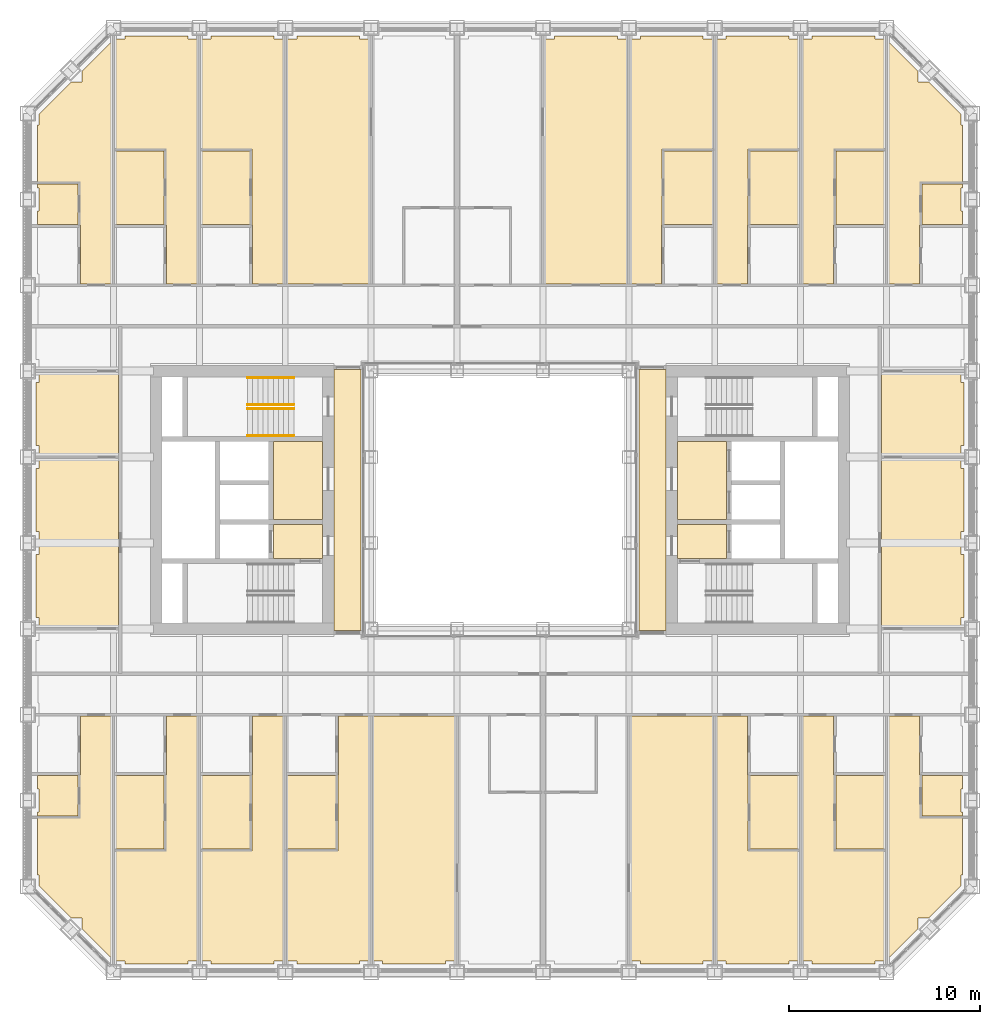
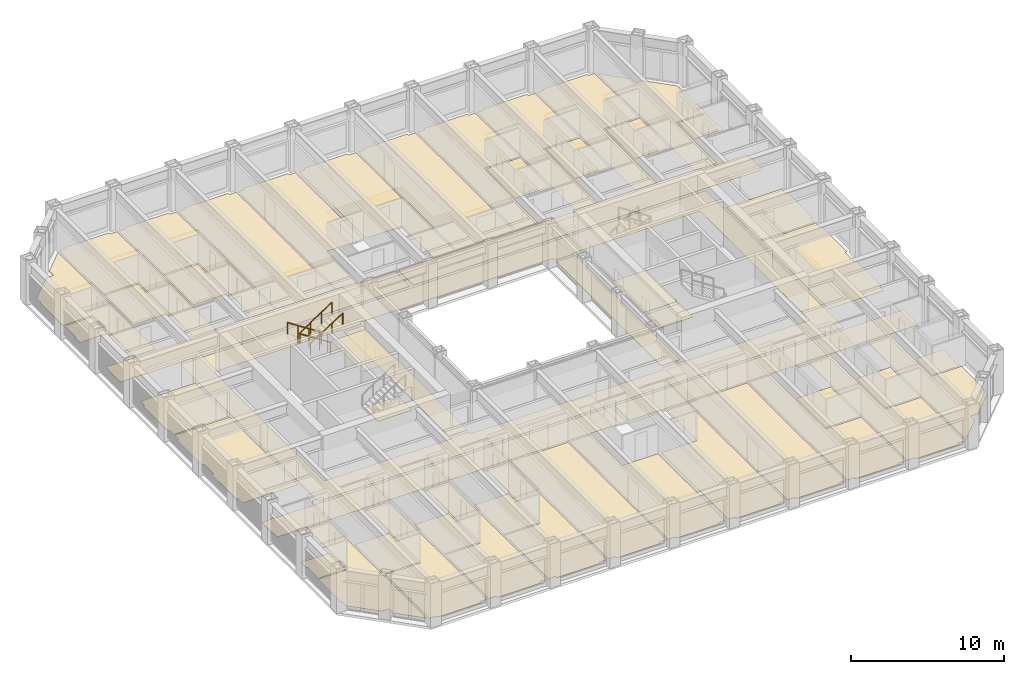
# One storey, part 18 of 21: 4 coverings, 4 railings.
"""IFC4 building model written with IfcOpenShell, lengths in metres."""

from ifc_helpers import new_model, si_unit, direction, frame, origin, origin_2d, place, context, subcontext, project, spatial, line, indexed_curve, circle, outline, extrude, material, layer, layer_set, type_object, element, save


model = new_model("IFC4")

# Units and contexts
model_context = context("Model", 3, precision=1e-05, world=origin(), true_north=direction((0.0, 1.0)))
body_context = subcontext(model_context, "Body", "Model", "MODEL_VIEW")
ifc_project = project(units=[si_unit("LENGTHUNIT", "METRE"), si_unit("AREAUNIT", "SQUARE_METRE"), si_unit("VOLUMEUNIT", "CUBIC_METRE"), si_unit("PLANEANGLEUNIT", "RADIAN"), si_unit("MASSUNIT", "GRAM", prefix="KILO")], contexts=[model_context])

# Site, building, storey
site_placement = place(None, origin())
site = spatial("IfcSite", under=ifc_project, at=site_placement, CompositionType="ELEMENT")
building_placement = place(site_placement, origin())
building = spatial("IfcBuilding", under=site, at=building_placement, Name="Msasa Ring Tower", CompositionType="ELEMENT")
storey_placement = place(building_placement, frame((0.0, 0.0, 86.0)))
storey = spatial("IfcBuildingStorey", under=building, at=storey_placement, Name="L22", CompositionType="ELEMENT", Elevation=86.0)

# Coverings
ifc_material_1 = material(Name="Mineral fibre ceiling tiles on an exposed steel grid", Category="steel")
ifc_layer_1 = layer(ifc_material_1, 0.02001953125)
ifc_layer_set_1 = layer_set([ifc_layer_1], Name="C3 ACOUSTIC MINERAL FIBRE TILE CEILING 20")
covering_type_1 = type_object("IfcCoveringType", Name="C3 ACOUSTIC MINERAL FIBRE TILE CEILING 20", PredefinedType="CEILING", material=ifc_layer_set_1)
covering_1_placement = place(storey_placement, frame((0.0, 0.0, 2.699951171875)))
element("IfcCovering", 1, at=covering_1_placement, inside=storey, type_object=covering_type_1, Name="Acoustic Mineral Fibre Tile Ceiling 20 L22", PredefinedType="CEILING", context=body_context, shape_type="SweptSolid", body=[
    extrude(outline(indexed_curve([(-11.87451171875, 3.074462890625), (-9.300537109375, 3.074462890625), (-9.300537109375, -1.0244140625), (-11.87451171875, -1.0244140625)], segments=[line(1, 2, 3, 4, 1)], self_intersect=False)), origin(), (0.0, 0.0, 1.0), 0.02001953125),
])
ifc_material_2 = material(Name="Honed granite tiles on a mortar bed", Category="masonry")
ifc_layer_2 = layer(ifc_material_2, 0.030029296875)
ifc_layer_set_2 = layer_set([ifc_layer_2], Name="F1 HONED GRANITE ON BEDDING 30")
covering_type_2 = type_object("IfcCoveringType", Name="F1 HONED GRANITE ON BEDDING 30", PredefinedType="FLOORING", material=ifc_layer_set_2)
covering_2_placement = place(storey_placement, origin())
element("IfcCovering", 2, at=covering_2_placement, inside=storey, type_object=covering_type_2, Name="Honed Granite On Bedding 30 L22", PredefinedType="FLOORING", context=body_context, shape_type="SweptSolid", body=[
    extrude(outline(indexed_curve([(-11.87451171875, -3.074462890625), (-11.87451171875, -1.275390625), (-9.300537109375, -1.275390625), (-9.300537109375, -3.074462890625)], segments=[line(1, 2, 3, 4, 1)], self_intersect=False)), origin(), (0.0, 0.0, 1.0), 0.030029296875),
    extrude(outline(indexed_curve([(-8.699462890625, -6.849609375), (-8.699462890625, 6.849609375), (-7.280029296875, 6.849609375), (-7.280029296875, -6.849609375)], segments=[line(1, 2, 3, 4, 1)], self_intersect=False)), origin(), (0.0, 0.0, 1.0), 0.030029296875),
    extrude(outline(indexed_curve([(8.699462890625, 6.849609375), (8.699462890625, -6.849609375), (7.280029296875, -6.849609375), (7.280029296875, 6.849609375)], segments=[line(1, 2, 3, 4, 1)], self_intersect=False)), origin(), (0.0, 0.0, 1.0), 0.030029296875),
    extrude(outline(indexed_curve([(9.300537109375, -3.074462890625), (9.300537109375, -1.275390625), (11.87451171875, -1.275390625), (11.87451171875, -3.074462890625)], segments=[line(1, 2, 3, 4, 1)], self_intersect=False)), origin(), (0.0, 0.0, 1.0), 0.030029296875),
    extrude(outline(indexed_curve([(9.300537109375, 3.074462890625), (11.87451171875, 3.074462890625), (11.87451171875, -1.0244140625), (9.300537109375, -1.0244140625)], segments=[line(1, 2, 3, 4, 1)], self_intersect=False)), origin(), (0.0, 0.0, 1.0), 0.030029296875),
])
ifc_material_3 = material(Name="Wool-blend carpet on felt underlay", Category="textile")
ifc_layer_3 = layer(ifc_material_3, 0.011962890625)
ifc_layer_set_3 = layer_set([ifc_layer_3], Name="F2 CARPET ON UNDERLAY 12")
covering_type_3 = type_object("IfcCoveringType", Name="F2 CARPET ON UNDERLAY 12", PredefinedType="FLOORING", material=ifc_layer_set_3)
covering_3_placement = place(storey_placement, origin())
element("IfcCovering", 3, at=covering_3_placement, inside=storey, type_object=covering_type_3, Name="Carpet On Underlay 12 L22", PredefinedType="FLOORING", context=body_context, shape_type="SweptSolid", body=[
    extrude(outline(indexed_curve([(-22.1005859375, -14.430419921875), (-22.1005859375, -16.568115234375), (-24.239501953125, -16.568115234375), (-24.239501953125, -16.3505859375), (-24.1494140625, -16.3505859375), (-24.1494140625, -15.1494140625), (-24.239501953125, -15.1494140625), (-24.239501953125, -14.430419921875)], segments=[line(1, 2, 3, 4, 5, 6, 7, 8, 1)], self_intersect=False)), origin(), (0.0, 0.0, 1.0), 0.011962890625),
    extrude(outline(indexed_curve([(-22.1005859375, 14.430419921875), (-24.239501953125, 14.430419921875), (-24.239501953125, 15.1494140625), (-24.1494140625, 15.1494140625), (-24.1494140625, 16.3505859375), (-24.239501953125, 16.3505859375), (-24.239501953125, 16.568115234375), (-22.1005859375, 16.568115234375)], segments=[line(1, 2, 3, 4, 5, 6, 7, 8, 1)], self_intersect=False)), origin(), (0.0, 0.0, 1.0), 0.011962890625),
    extrude(outline(indexed_curve([(-17.6005859375, -18.294921875), (-20.18701171875, -18.294921875), (-20.18701171875, -14.430419921875), (-17.6005859375, -14.430419921875)], segments=[line(1, 2, 3, 4, 1)], self_intersect=False)), origin(), (0.0, 0.0, 1.0), 0.011962890625),
    extrude(outline(indexed_curve([(-17.6005859375, 18.294921875), (-17.6005859375, 14.430419921875), (-20.18701171875, 14.430419921875), (-20.18701171875, 18.294921875)], segments=[line(1, 2, 3, 4, 1)], self_intersect=False)), origin(), (0.0, 0.0, 1.0), 0.011962890625),
    extrude(outline(indexed_curve([(19.799560546875, 8.99951171875), (19.799560546875, -8.99951171875), (-19.799560546875, -8.99951171875), (-19.799560546875, 8.99951171875)], segments=[line(1, 2, 3, 4, 1)], self_intersect=False), holes=[indexed_curve([(18.300537109375, -7.150390625), (18.300537109375, 7.150390625), (8.699462890625, 7.150390625), (8.699462890625, 7.050537109375), (7.280029296875, 7.050537109375), (7.275390625, 7.275390625), (7.22998046875, 7.280029296875), (-7.22998046875, 7.280029296875), (-7.275390625, 7.275390625), (-7.280029296875, 7.050537109375), (-8.699462890625, 7.050537109375), (-8.699462890625, 7.150390625), (-18.300537109375, 7.150390625), (-18.300537109375, -7.150390625), (-8.699462890625, -7.150390625), (-8.699462890625, -7.050537109375), (-7.280029296875, -7.050537109375), (-7.275390625, -7.275390625), (-7.22998046875, -7.280029296875), (7.22998046875, -7.280029296875), (7.275390625, -7.275390625), (7.280029296875, -7.050537109375), (8.699462890625, -7.050537109375), (8.699462890625, -7.150390625)], segments=[line(1, 2, 3, 4, 5, 6, 7, 8, 9, 10, 11, 12, 13, 14, 15, 16, 17, 18, 19, 20, 21, 22, 23, 24, 1)], self_intersect=False)]), origin(), (0.0, 0.0, 1.0), 0.011962890625),
    extrude(outline(indexed_curve([(-13.1005859375, -14.430419921875), (-13.1005859375, -18.297607421875), (-15.68701171875, -18.297607421875), (-15.68701171875, -14.430419921875)], segments=[line(1, 2, 3, 4, 1)], self_intersect=False)), origin(), (0.0, 0.0, 1.0), 0.011962890625),
    extrude(outline(indexed_curve([(-13.1005859375, 14.430419921875), (-15.68701171875, 14.430419921875), (-15.68701171875, 18.297607421875), (-13.1005859375, 18.297607421875)], segments=[line(1, 2, 3, 4, 1)], self_intersect=False)), origin(), (0.0, 0.0, 1.0), 0.011962890625),
    extrude(outline(indexed_curve([(-8.6005859375, -18.297607421875), (-11.18701171875, -18.297607421875), (-11.18701171875, -14.430419921875), (-8.6005859375, -14.430419921875)], segments=[line(1, 2, 3, 4, 1)], self_intersect=False)), origin(), (0.0, 0.0, 1.0), 0.011962890625),
    extrude(outline(indexed_curve([(-7.3505859375, 24.299560546875), (-7.3505859375, 24.1494140625), (-6.81298828125, 24.1494140625), (-6.81298828125, 11.31298828125), (-11.181884765625, 11.31298828125), (-11.181884765625, 24.1494140625), (-10.6494140625, 24.1494140625), (-10.6494140625, 24.299560546875)], segments=[line(1, 2, 3, 4, 5, 6, 7, 8, 1)], self_intersect=False)), origin(), (0.0, 0.0, 1.0), 0.011962890625),
    extrude(outline(indexed_curve([(-2.8505859375, 24.299560546875), (-2.8505859375, 24.1494140625), (-2.37548828125, 24.1494140625), (-2.37548828125, 15.363037109375), (-5.1005859375, 15.363037109375), (-5.1005859375, 11.31298828125), (-6.68701171875, 11.31298828125), (-6.68701171875, 24.1494140625), (-6.1494140625, 24.1494140625), (-6.1494140625, 24.299560546875)], segments=[line(1, 2, 3, 4, 5, 6, 7, 8, 9, 10, 1)], self_intersect=False)), origin(), (0.0, 0.0, 1.0), 0.011962890625),
    extrude(outline(indexed_curve([(-6.1494140625, -24.299560546875), (-6.1494140625, -24.1494140625), (-6.681884765625, -24.1494140625), (-6.681884765625, -11.31298828125), (-2.31298828125, -11.31298828125), (-2.31298828125, -24.1494140625), (-2.8505859375, -24.1494140625), (-2.8505859375, -24.299560546875)], segments=[line(1, 2, 3, 4, 5, 6, 7, 8, 1)], self_intersect=False)), origin(), (0.0, 0.0, 1.0), 0.011962890625),
    extrude(outline(indexed_curve([(-0.6005859375, -11.31298828125), (-0.6005859375, -15.363037109375), (2.12451171875, -15.363037109375), (2.12451171875, -24.1494140625), (1.6494140625, -24.1494140625), (1.6494140625, -24.299560546875), (-1.6494140625, -24.299560546875), (-1.6494140625, -24.1494140625), (-2.18701171875, -24.1494140625), (-2.18701171875, -11.31298828125)], segments=[line(1, 2, 3, 4, 5, 6, 7, 8, 9, 10, 1)], self_intersect=False)), origin(), (0.0, 0.0, 1.0), 0.011962890625),
    extrude(outline(indexed_curve([(0.6005859375, 11.31298828125), (0.6005859375, 15.363037109375), (-2.12451171875, 15.363037109375), (-2.12451171875, 24.1494140625), (-1.6494140625, 24.1494140625), (-1.6494140625, 24.299560546875), (1.6494140625, 24.299560546875), (1.6494140625, 24.1494140625), (2.18701171875, 24.1494140625), (2.18701171875, 11.31298828125)], segments=[line(1, 2, 3, 4, 5, 6, 7, 8, 9, 10, 1)], self_intersect=False)), origin(), (0.0, 0.0, 1.0), 0.011962890625),
    extrude(outline(indexed_curve([(6.1494140625, 24.299560546875), (6.1494140625, 24.1494140625), (6.681884765625, 24.1494140625), (6.681884765625, 11.31298828125), (2.31298828125, 11.31298828125), (2.31298828125, 24.1494140625), (2.8505859375, 24.1494140625), (2.8505859375, 24.299560546875)], segments=[line(1, 2, 3, 4, 5, 6, 7, 8, 1)], self_intersect=False)), origin(), (0.0, 0.0, 1.0), 0.011962890625),
    extrude(outline(indexed_curve([(2.8505859375, -24.299560546875), (2.8505859375, -24.1494140625), (2.37548828125, -24.1494140625), (2.37548828125, -15.363037109375), (5.1005859375, -15.363037109375), (5.1005859375, -11.31298828125), (6.68701171875, -11.31298828125), (6.68701171875, -24.1494140625), (6.1494140625, -24.1494140625), (6.1494140625, -24.299560546875)], segments=[line(1, 2, 3, 4, 5, 6, 7, 8, 9, 10, 1)], self_intersect=False)), origin(), (0.0, 0.0, 1.0), 0.011962890625),
    extrude(outline(indexed_curve([(7.3505859375, -24.299560546875), (7.3505859375, -24.1494140625), (6.81298828125, -24.1494140625), (6.81298828125, -11.31298828125), (11.181884765625, -11.31298828125), (11.181884765625, -24.1494140625), (10.6494140625, -24.1494140625), (10.6494140625, -24.299560546875)], segments=[line(1, 2, 3, 4, 5, 6, 7, 8, 1)], self_intersect=False)), origin(), (0.0, 0.0, 1.0), 0.011962890625),
    extrude(outline(indexed_curve([(8.6005859375, 14.430419921875), (8.6005859375, 18.297607421875), (11.18701171875, 18.297607421875), (11.18701171875, 14.430419921875)], segments=[line(1, 2, 3, 4, 1)], self_intersect=False)), origin(), (0.0, 0.0, 1.0), 0.011962890625),
    extrude(outline(indexed_curve([(15.68701171875, -14.430419921875), (15.68701171875, -18.297607421875), (13.1005859375, -18.297607421875), (13.1005859375, -14.430419921875)], segments=[line(1, 2, 3, 4, 1)], self_intersect=False)), origin(), (0.0, 0.0, 1.0), 0.011962890625),
    extrude(outline(indexed_curve([(15.68701171875, 18.297607421875), (15.68701171875, 14.430419921875), (13.1005859375, 14.430419921875), (13.1005859375, 18.297607421875)], segments=[line(1, 2, 3, 4, 1)], self_intersect=False)), origin(), (0.0, 0.0, 1.0), 0.011962890625),
    extrude(outline(indexed_curve([(17.6005859375, -18.294921875), (17.6005859375, -14.430419921875), (20.18701171875, -14.430419921875), (20.18701171875, -18.294921875)], segments=[line(1, 2, 3, 4, 1)], self_intersect=False)), origin(), (0.0, 0.0, 1.0), 0.011962890625),
    extrude(outline(indexed_curve([(17.6005859375, 14.430419921875), (17.6005859375, 18.294921875), (20.18701171875, 18.294921875), (20.18701171875, 14.430419921875)], segments=[line(1, 2, 3, 4, 1)], self_intersect=False)), origin(), (0.0, 0.0, 1.0), 0.011962890625),
    extrude(outline(indexed_curve([(24.239501953125, -15.1494140625), (24.1494140625, -15.1494140625), (24.1494140625, -16.3505859375), (24.239501953125, -16.3505859375), (24.239501953125, -16.568115234375), (22.1005859375, -16.568115234375), (22.1005859375, -14.430419921875), (24.239501953125, -14.430419921875)], segments=[line(1, 2, 3, 4, 5, 6, 7, 8, 1)], self_intersect=False)), origin(), (0.0, 0.0, 1.0), 0.011962890625),
    extrude(outline(indexed_curve([(24.239501953125, 16.568115234375), (24.239501953125, 16.3505859375), (24.1494140625, 16.3505859375), (24.1494140625, 15.1494140625), (24.239501953125, 15.1494140625), (24.239501953125, 14.430419921875), (22.1005859375, 14.430419921875), (22.1005859375, 16.568115234375)], segments=[line(1, 2, 3, 4, 5, 6, 7, 8, 1)], self_intersect=False)), origin(), (0.0, 0.0, 1.0), 0.011962890625),
])
ifc_material_4 = material(Name="Engineered oak boards on an acoustic underlay", Category="wood")
ifc_layer_4 = layer(ifc_material_4, 0.01806640625)
ifc_layer_set_4 = layer_set([ifc_layer_4], Name="F3 ENGINEERED TIMBER ON ACOUSTIC UNDERLAY 18")
covering_type_4 = type_object("IfcCoveringType", Name="F3 ENGINEERED TIMBER ON ACOUSTIC UNDERLAY 18", PredefinedType="FLOORING", material=ifc_layer_set_4)
covering_4_placement = place(storey_placement, origin())
element("IfcCovering", 4, at=covering_4_placement, inside=storey, type_object=covering_type_4, Name="Engineered Timber On Acoustic Underlay 18 L22", PredefinedType="FLOORING", context=body_context, shape_type="SweptSolid", body=[
    extrude(outline(indexed_curve([(-24.1494140625, -6.694580078125), (-24.1494140625, -6.1494140625), (-24.299560546875, -6.1494140625), (-24.299560546875, -2.8505859375), (-24.1494140625, -2.8505859375), (-24.1494140625, -1.6494140625), (-24.299560546875, -1.6494140625), (-24.299560546875, 1.6494140625), (-24.1494140625, 1.6494140625), (-24.1494140625, 2.194580078125), (-20.00048828125, 2.194580078125), (-20.00048828125, -6.694580078125)], segments=[line(1, 2, 3, 4, 5, 6, 7, 8, 9, 10, 11, 12, 1)], self_intersect=False)), origin(), (0.0, 0.0, 1.0), 0.01806640625),
    extrude(outline(indexed_curve([(-24.299560546875, 6.1494140625), (-24.1494140625, 6.1494140625), (-24.1494140625, 6.66943359375), (-20.00048828125, 6.66943359375), (-20.00048828125, 2.305419921875), (-24.1494140625, 2.305419921875), (-24.1494140625, 2.8505859375), (-24.299560546875, 2.8505859375)], segments=[line(1, 2, 3, 4, 5, 6, 7, 8, 1)], self_intersect=False)), origin(), (0.0, 0.0, 1.0), 0.01806640625),
    extrude(outline(indexed_curve([(-24.23193359375, -16.674072265625), (-21.99951171875, -16.674072265625), (-21.99951171875, -14.39990234375), (-21.974609375, -14.39990234375), (-21.974609375, -11.31298828125), (-20.318115234375, -11.31298828125), (-20.318115234375, -24.044921875), (-21.8994140625, -22.46337890625), (-21.8994140625, -21.8994140625), (-22.46337890625, -21.8994140625), (-24.1494140625, -20.21337890625), (-24.1494140625, -19.6494140625), (-24.23193359375, -19.6494140625)], segments=[line(1, 2, 3, 4, 5, 6, 7, 8, 9, 10, 11, 12, 13, 1)], self_intersect=False)), origin(), (0.0, 0.0, 1.0), 0.01806640625),
    extrude(outline(indexed_curve([(-22.46337890625, 21.8994140625), (-21.8994140625, 21.8994140625), (-21.8994140625, 22.46337890625), (-20.318115234375, 24.044921875), (-20.318115234375, 11.31298828125), (-21.974609375, 11.31298828125), (-21.974609375, 14.39990234375), (-21.99951171875, 14.39990234375), (-21.99951171875, 16.674072265625), (-24.23193359375, 16.674072265625), (-24.23193359375, 19.6494140625), (-24.1494140625, 19.6494140625), (-24.1494140625, 20.21337890625)], segments=[line(1, 2, 3, 4, 5, 6, 7, 8, 9, 10, 11, 12, 13, 1)], self_intersect=False)), origin(), (0.0, 0.0, 1.0), 0.01806640625),
    extrude(outline(indexed_curve([(-24.1494140625, -11.18701171875), (-24.1494140625, -10.6494140625), (-24.199462890625, -10.6494140625), (-24.199462890625, -9.200439453125), (2.12451171875, -9.200439453125), (2.12451171875, -11.18701171875)], segments=[line(1, 2, 3, 4, 5, 6, 1)], self_intersect=False)), origin(), (0.0, 0.0, 1.0), 0.01806640625),
    extrude(outline(indexed_curve([(-24.199462890625, 9.200439453125), (-24.199462890625, 10.6494140625), (-24.1494140625, 10.6494140625), (-24.1494140625, 11.18701171875), (-2.37548828125, 11.18701171875), (-2.37548828125, 9.200439453125)], segments=[line(1, 2, 3, 4, 5, 6, 1)], self_intersect=False)), origin(), (0.0, 0.0, 1.0), 0.01806640625),
    extrude(outline(indexed_curve([(-15.818115234375, -11.31298828125), (-15.818115234375, -24.1494140625), (-16.3505859375, -24.1494140625), (-16.3505859375, -24.299560546875), (-19.6494140625, -24.299560546875), (-19.6494140625, -24.1494140625), (-20.181884765625, -24.1494140625), (-20.181884765625, -18.40087890625), (-17.49951171875, -18.40087890625), (-17.49951171875, -14.39990234375), (-17.474609375, -14.39990234375), (-17.474609375, -11.31298828125)], segments=[line(1, 2, 3, 4, 5, 6, 7, 8, 9, 10, 11, 12, 1)], self_intersect=False)), origin(), (0.0, 0.0, 1.0), 0.01806640625),
    extrude(outline(indexed_curve([(-15.818115234375, 11.31298828125), (-17.474609375, 11.31298828125), (-17.474609375, 14.39990234375), (-17.49951171875, 14.39990234375), (-17.49951171875, 18.40087890625), (-20.181884765625, 18.40087890625), (-20.181884765625, 24.1494140625), (-19.6494140625, 24.1494140625), (-19.6494140625, 24.299560546875), (-16.3505859375, 24.299560546875), (-16.3505859375, 24.1494140625), (-15.818115234375, 24.1494140625)], segments=[line(1, 2, 3, 4, 5, 6, 7, 8, 9, 10, 11, 12, 1)], self_intersect=False)), origin(), (0.0, 0.0, 1.0), 0.01806640625),
    extrude(outline(indexed_curve([(-11.318115234375, -24.1494140625), (-11.8505859375, -24.1494140625), (-11.8505859375, -24.299560546875), (-15.1494140625, -24.299560546875), (-15.1494140625, -24.1494140625), (-15.681884765625, -24.1494140625), (-15.681884765625, -18.403564453125), (-12.99951171875, -18.403564453125), (-12.99951171875, -14.39990234375), (-12.974609375, -14.39990234375), (-12.974609375, -11.31298828125), (-11.318115234375, -11.31298828125)], segments=[line(1, 2, 3, 4, 5, 6, 7, 8, 9, 10, 11, 12, 1)], self_intersect=False)), origin(), (0.0, 0.0, 1.0), 0.01806640625),
    extrude(outline(indexed_curve([(-12.974609375, 11.31298828125), (-12.974609375, 14.39990234375), (-12.99951171875, 14.39990234375), (-12.99951171875, 18.403564453125), (-15.681884765625, 18.403564453125), (-15.681884765625, 24.1494140625), (-15.1494140625, 24.1494140625), (-15.1494140625, 24.299560546875), (-11.8505859375, 24.299560546875), (-11.8505859375, 24.1494140625), (-11.318115234375, 24.1494140625), (-11.318115234375, 11.31298828125)], segments=[line(1, 2, 3, 4, 5, 6, 7, 8, 9, 10, 11, 12, 1)], self_intersect=False)), origin(), (0.0, 0.0, 1.0), 0.01806640625),
    extrude(outline(indexed_curve([(-6.818115234375, -24.1494140625), (-7.3505859375, -24.1494140625), (-7.3505859375, -24.299560546875), (-10.6494140625, -24.299560546875), (-10.6494140625, -24.1494140625), (-11.181884765625, -24.1494140625), (-11.181884765625, -18.403564453125), (-8.49951171875, -18.403564453125), (-8.49951171875, -14.39990234375), (-8.474609375, -14.39990234375), (-8.474609375, -11.31298828125), (-6.818115234375, -11.31298828125)], segments=[line(1, 2, 3, 4, 5, 6, 7, 8, 9, 10, 11, 12, 1)], self_intersect=False)), origin(), (0.0, 0.0, 1.0), 0.01806640625),
    extrude(outline(indexed_curve([(24.199462890625, 9.200439453125), (-2.12451171875, 9.200439453125), (-2.12451171875, 11.18701171875), (24.1494140625, 11.18701171875), (24.1494140625, 10.6494140625), (24.199462890625, 10.6494140625)], segments=[line(1, 2, 3, 4, 5, 6, 1)], self_intersect=False)), origin(), (0.0, 0.0, 1.0), 0.01806640625),
    extrude(outline(indexed_curve([(24.199462890625, -10.6494140625), (24.1494140625, -10.6494140625), (24.1494140625, -11.18701171875), (2.37548828125, -11.18701171875), (2.37548828125, -9.200439453125), (24.199462890625, -9.200439453125)], segments=[line(1, 2, 3, 4, 5, 6, 1)], self_intersect=False)), origin(), (0.0, 0.0, 1.0), 0.01806640625),
    extrude(outline(indexed_curve([(6.818115234375, 24.1494140625), (7.3505859375, 24.1494140625), (7.3505859375, 24.299560546875), (10.6494140625, 24.299560546875), (10.6494140625, 24.1494140625), (11.181884765625, 24.1494140625), (11.181884765625, 18.403564453125), (8.49951171875, 18.403564453125), (8.49951171875, 14.39990234375), (8.474609375, 14.39990234375), (8.474609375, 11.31298828125), (6.818115234375, 11.31298828125)], segments=[line(1, 2, 3, 4, 5, 6, 7, 8, 9, 10, 11, 12, 1)], self_intersect=False)), origin(), (0.0, 0.0, 1.0), 0.01806640625),
    extrude(outline(indexed_curve([(11.318115234375, -11.31298828125), (12.974609375, -11.31298828125), (12.974609375, -14.39990234375), (12.99951171875, -14.39990234375), (12.99951171875, -18.403564453125), (15.681884765625, -18.403564453125), (15.681884765625, -24.1494140625), (15.1494140625, -24.1494140625), (15.1494140625, -24.299560546875), (11.8505859375, -24.299560546875), (11.8505859375, -24.1494140625), (11.318115234375, -24.1494140625)], segments=[line(1, 2, 3, 4, 5, 6, 7, 8, 9, 10, 11, 12, 1)], self_intersect=False)), origin(), (0.0, 0.0, 1.0), 0.01806640625),
    extrude(outline(indexed_curve([(15.1494140625, 24.299560546875), (15.1494140625, 24.1494140625), (15.681884765625, 24.1494140625), (15.681884765625, 18.403564453125), (12.99951171875, 18.403564453125), (12.99951171875, 14.39990234375), (12.974609375, 14.39990234375), (12.974609375, 11.31298828125), (11.318115234375, 11.31298828125), (11.318115234375, 24.1494140625), (11.8505859375, 24.1494140625), (11.8505859375, 24.299560546875)], segments=[line(1, 2, 3, 4, 5, 6, 7, 8, 9, 10, 11, 12, 1)], self_intersect=False)), origin(), (0.0, 0.0, 1.0), 0.01806640625),
    extrude(outline(indexed_curve([(16.3505859375, -24.299560546875), (16.3505859375, -24.1494140625), (15.818115234375, -24.1494140625), (15.818115234375, -11.31298828125), (17.474609375, -11.31298828125), (17.474609375, -14.39990234375), (17.49951171875, -14.39990234375), (17.49951171875, -18.40087890625), (20.181884765625, -18.40087890625), (20.181884765625, -24.1494140625), (19.6494140625, -24.1494140625), (19.6494140625, -24.299560546875)], segments=[line(1, 2, 3, 4, 5, 6, 7, 8, 9, 10, 11, 12, 1)], self_intersect=False)), origin(), (0.0, 0.0, 1.0), 0.01806640625),
    extrude(outline(indexed_curve([(15.818115234375, 24.1494140625), (16.3505859375, 24.1494140625), (16.3505859375, 24.299560546875), (19.6494140625, 24.299560546875), (19.6494140625, 24.1494140625), (20.181884765625, 24.1494140625), (20.181884765625, 18.40087890625), (17.49951171875, 18.40087890625), (17.49951171875, 14.39990234375), (17.474609375, 14.39990234375), (17.474609375, 11.31298828125), (15.818115234375, 11.31298828125)], segments=[line(1, 2, 3, 4, 5, 6, 7, 8, 9, 10, 11, 12, 1)], self_intersect=False)), origin(), (0.0, 0.0, 1.0), 0.01806640625),
    extrude(outline(indexed_curve([(24.1494140625, 2.194580078125), (24.1494140625, 1.6494140625), (24.299560546875, 1.6494140625), (24.299560546875, -1.6494140625), (24.1494140625, -1.6494140625), (24.1494140625, -2.8505859375), (24.299560546875, -2.8505859375), (24.299560546875, -6.1494140625), (24.1494140625, -6.1494140625), (24.1494140625, -6.694580078125), (20.00048828125, -6.694580078125), (20.00048828125, 2.194580078125)], segments=[line(1, 2, 3, 4, 5, 6, 7, 8, 9, 10, 11, 12, 1)], self_intersect=False)), origin(), (0.0, 0.0, 1.0), 0.01806640625),
    extrude(outline(indexed_curve([(20.00048828125, 6.66943359375), (24.1494140625, 6.66943359375), (24.1494140625, 6.1494140625), (24.299560546875, 6.1494140625), (24.299560546875, 2.8505859375), (24.1494140625, 2.8505859375), (24.1494140625, 2.305419921875), (20.00048828125, 2.305419921875)], segments=[line(1, 2, 3, 4, 5, 6, 7, 8, 1)], self_intersect=False)), origin(), (0.0, 0.0, 1.0), 0.01806640625),
    extrude(outline(indexed_curve([(22.46337890625, -21.8994140625), (21.8994140625, -21.8994140625), (21.8994140625, -22.46337890625), (20.318115234375, -24.044921875), (20.318115234375, -11.31298828125), (21.974609375, -11.31298828125), (21.974609375, -14.39990234375), (21.99951171875, -14.39990234375), (21.99951171875, -16.674072265625), (24.23193359375, -16.674072265625), (24.23193359375, -19.6494140625), (24.1494140625, -19.6494140625), (24.1494140625, -20.21337890625)], segments=[line(1, 2, 3, 4, 5, 6, 7, 8, 9, 10, 11, 12, 13, 1)], self_intersect=False)), origin(), (0.0, 0.0, 1.0), 0.01806640625),
    extrude(outline(indexed_curve([(24.23193359375, 16.674072265625), (21.99951171875, 16.674072265625), (21.99951171875, 14.39990234375), (21.974609375, 14.39990234375), (21.974609375, 11.31298828125), (20.318115234375, 11.31298828125), (20.318115234375, 24.044921875), (21.8994140625, 22.46337890625), (21.8994140625, 21.8994140625), (22.46337890625, 21.8994140625), (24.1494140625, 20.21337890625), (24.1494140625, 19.6494140625), (24.23193359375, 19.6494140625)], segments=[line(1, 2, 3, 4, 5, 6, 7, 8, 9, 10, 11, 12, 13, 1)], self_intersect=False)), origin(), (0.0, 0.0, 1.0), 0.01806640625),
])

# Railings
ifc_material_5 = material(Name="Stainless steel", Category="steel")
railing_type = type_object("IfcRailingType", Name="HR1 HANDRAIL 900", PredefinedType="HANDRAIL", material=ifc_material_5)
for number, where, name in (
    (5, (-10.800048828125, 5.0, 0.175048828125), "Handrail stair SWB L22 1"),
    (6, (-10.800048828125, 6.39990234375, 0.175048828125), "Handrail stair SWB L22 2"),
):
    element("IfcRailing", number, at=place(storey_placement, frame(where)), inside=storey, type_object=railing_type, Name=name, PredefinedType="HANDRAIL", context=body_context, shape_type="SweptSolid", body=[
        extrude(circle(Radius=0.02392578125, at=origin_2d()), frame((0.0, 0.0, 0.8759765625), z_axis=(-0.839153699163, 0.0, 0.543894354798), x_axis=(0.0, -1.0, 0.0)), (0.0, 0.0, 1.0), 2.895751953125),
        extrude(circle(Radius=0.02099609375, at=origin_2d()), origin(), (0.0, 0.0, 1.0), 0.851806640625),
        extrude(circle(Radius=0.02099609375, at=origin_2d()), frame((-0.81005859375, 0.0, 0.52490234375)), (0.0, 0.0, 1.0), 0.851806640625),
        extrude(circle(Radius=0.02099609375, at=origin_2d()), frame((-1.619873046875, 0.0, 1.050048828125)), (0.0, 0.0, 1.0), 0.851806640625),
        extrude(circle(Radius=0.02099609375, at=origin_2d()), frame((-2.429931640625, 0.0, 1.574951171875)), (0.0, 0.0, 1.0), 0.851806640625),
    ])
for number, where, name in (
    (7, (-13.22998046875, 3.375, 1.925048828125), "Handrail stair SWB L22 3"),
    (8, (-13.22998046875, 4.77490234375, 1.925048828125), "Handrail stair SWB L22 4"),
):
    element("IfcRailing", number, at=place(storey_placement, frame(where)), inside=storey, type_object=railing_type, Name=name, PredefinedType="HANDRAIL", context=body_context, shape_type="SweptSolid", body=[
        extrude(circle(Radius=0.02392578125, at=origin_2d()), frame((0.0, 0.0, 0.8759765625), z_axis=(0.839153699163, 0.0, 0.543894354798), x_axis=(0.0, 1.0, 0.0)), (0.0, 0.0, 1.0), 2.895751953125),
        extrude(circle(Radius=0.02099609375, at=origin_2d()), origin(), (0.0, 0.0, 1.0), 0.851806640625),
        extrude(circle(Radius=0.02099609375, at=origin_2d()), frame((0.81005859375, 0.0, 0.52490234375)), (0.0, 0.0, 1.0), 0.851806640625),
        extrude(circle(Radius=0.02099609375, at=origin_2d()), frame((1.619873046875, 0.0, 1.050048828125)), (0.0, 0.0, 1.0), 0.851806640625),
        extrude(circle(Radius=0.02099609375, at=origin_2d()), frame((2.429931640625, 0.0, 1.574951171875)), (0.0, 0.0, 1.0), 0.851806640625),
    ])

save(model, "model.ifc")
